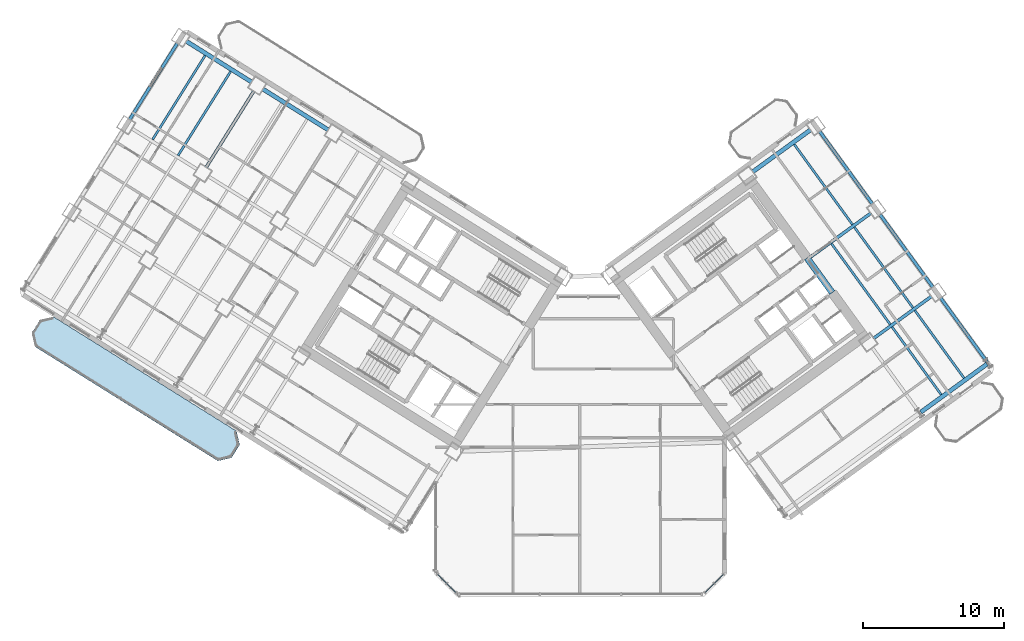
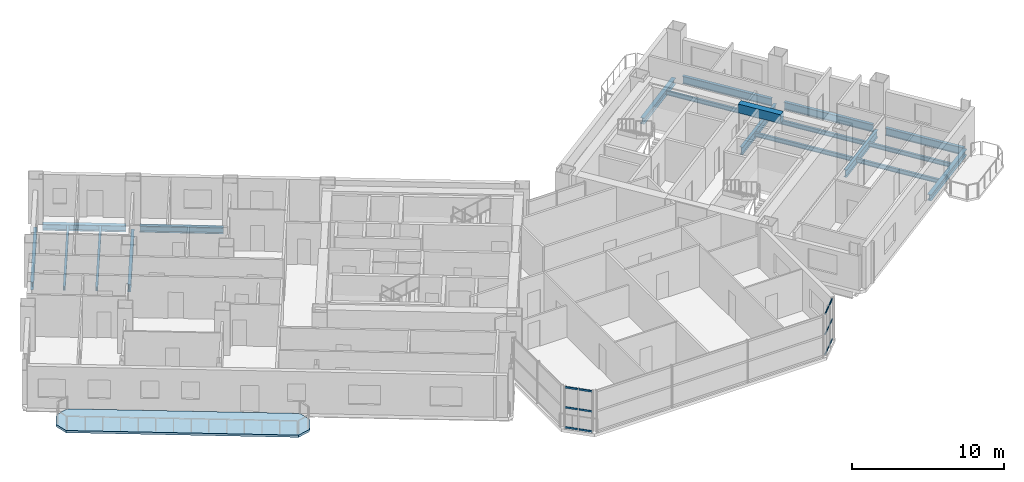
# One storey, part 12 of 24: 19 beams, 12 members, 1 slab, 2 elements without a shape of their own.
"""IFC4 building model written with IfcOpenShell, lengths in metres."""

from ifc_helpers import new_model, si_unit, direction, frame, origin, origin_2d, place, context, subcontext, project, spatial, polyline, rectangle, hollow_rectangle, i_section, outline, extrude, source, transform, mapped, material, layer, layer_set, material_profile, profile_set, type_object, element, aggregate, save


model = new_model("IFC4")

# Units and contexts
model_context = context("Model", 3, precision=1e-05, world=origin(), true_north=direction((0.0, 1.0)))
body_context = subcontext(model_context, "Body", "Model", "MODEL_VIEW")
ifc_project = project(units=[si_unit("LENGTHUNIT", "METRE"), si_unit("AREAUNIT", "SQUARE_METRE"), si_unit("VOLUMEUNIT", "CUBIC_METRE"), si_unit("PLANEANGLEUNIT", "RADIAN"), si_unit("MASSUNIT", "GRAM", prefix="KILO")], contexts=[model_context])

# Site, building, storey
site_placement = place(None, origin())
site = spatial("IfcSite", under=ifc_project, at=site_placement, CompositionType="ELEMENT")
building_placement = place(site_placement, origin())
building = spatial("IfcBuilding", under=site, at=building_placement, Name="Tlacorven Tower", CompositionType="ELEMENT")
storey_placement = place(building_placement, frame((0.0, 0.0, 45.60009765625)))
storey = spatial("IfcBuildingStorey", under=building, at=storey_placement, Name="L11", CompositionType="ELEMENT", Elevation=45.60009765625)

# Beams
ifc_material_1 = material(Name="Concrete C60/75", Category="concrete")
ifc_material_profile_1 = material_profile(ifc_material_1, rectangle(XDim=0.449951171875, YDim=0.699951171875, at=origin_2d()), Name="RC 450X700")
ifc_profile_set_1 = profile_set([ifc_material_profile_1], Name="Concrete C60/75")
beam_type_1 = type_object("IfcBeamType", Name="BM-LNT-700", PredefinedType="LINTEL", material=ifc_profile_set_1)
shared_shape_1 = source(origin(), body_context, "Body", "SweptSolid", [
    extrude(rectangle(XDim=0.449951171875, YDim=0.699951171875, at=origin_2d()), origin(), (0.0, 0.0, 1.0), 3.050048828125),
])
beam_1_placement = place(storey_placement, frame((59.856689453125, 23.345947265625, 3.0), z_axis=(-0.587776590479, 0.80902328748, 0.0), x_axis=(-0.80902328748, -0.587776590479, 0.0)))
element("IfcBeam", 1, at=beam_1_placement, inside=storey, type_object=beam_type_1, Name="L11 E core coupling lintel beam E2", PredefinedType="LINTEL", context=body_context, shape_type="MappedRepresentation", body=[
    mapped(shared_shape_1, transform((0.0, 0.0, 0.0), scale=1.0)),
])
ifc_material_2 = material(Name="Steel S355J2", Category="steel")
ifc_material_profile_2 = material_profile(ifc_material_2, i_section(OverallWidth=0.300048828125, OverallDepth=0.489990234375, WebThickness=0.011962890625, FlangeThickness=0.02294921875, at=origin_2d()), Name="HEA 500")
ifc_profile_set_2 = profile_set([ifc_material_profile_2], Name="Steel S355J2")
beam_type_2 = type_object("IfcBeamType", Name="BM-SPN-500", PredefinedType="SPANDREL", material=ifc_profile_set_2)
shared_shape_2 = source(origin(), body_context, "Body", "SweptSolid", [
    extrude(i_section(OverallWidth=0.300048828125, OverallDepth=0.489990234375, WebThickness=0.011962890625, FlangeThickness=0.02294921875, at=origin_2d()), origin(), (0.0, 0.0, 1.0), 5.5),
])
for number, where, z_axis, x_axis, name in (
    (2, (24.118896484375, 34.88134765625, -0.4951171875), (-0.848050668838, 0.52991514706, 0.0), (-0.52991514706, -0.848050668838, 0.0), "L11 beam BM-L11-WL1-4"),
    (3, (18.69140625, 38.272705078125, -0.4951171875), (-0.848050668838, 0.52991514706, 0.0), (-0.52991514706, -0.848050668838, 0.0), "L11 beam BM-L11-WL1-5"),
):
    element("IfcBeam", number, at=place(storey_placement, frame(where, z_axis=z_axis, x_axis=x_axis)), inside=storey, type_object=beam_type_2, Name=name, PredefinedType="SPANDREL", context=body_context, shape_type="MappedRepresentation", body=[
        mapped(shared_shape_2, transform((0.0, 0.0, 0.0), scale=1.0)),
    ])
ifc_material_profile_3 = material_profile(ifc_material_2, i_section(OverallWidth=0.219970703125, OverallDepth=0.60009765625, WebThickness=0.011962890625, FlangeThickness=0.01904296875, at=origin_2d()), Name="IPE 600")
ifc_profile_set_3 = profile_set([ifc_material_profile_3], Name="Steel S355J2")
beam_type_3 = type_object("IfcBeamType", Name="BM-TWR-600", PredefinedType="BEAM", material=ifc_profile_set_3)
shared_shape_3 = source(origin(), body_context, "Body", "SweptSolid", [
    extrude(i_section(OverallWidth=0.219970703125, OverallDepth=0.60009765625, WebThickness=0.011962890625, FlangeThickness=0.01904296875, at=origin_2d()), origin(), (0.0, 0.0, 1.0), 5.650146484375),
])
beam_2_placement = place(storey_placement, frame((70.853271484375, 18.41845703125, -0.550048828125), z_axis=(-0.587783675561, 0.809018139935, 0.0), x_axis=(-0.809018139935, -0.587783675561, 0.0)))
element("IfcBeam", 4, at=beam_2_placement, inside=storey, type_object=beam_type_3, Name="L11 beam BM-L11-ET4-1", PredefinedType="BEAM", context=body_context, shape_type="MappedRepresentation", body=[
    mapped(shared_shape_3, transform((0.0, 0.0, 0.0), scale=1.0)),
])
shared_shape_4 = source(origin(), body_context, "Body", "SweptSolid", [
    extrude(i_section(OverallWidth=0.219970703125, OverallDepth=0.60009765625, WebThickness=0.011962890625, FlangeThickness=0.01904296875, at=origin_2d()), origin(), (0.0, 0.0, 1.0), 6.39990234375),
])
for number, where, z_axis, x_axis, name in (
    (5, (67.003173828125, 23.717529296875, -0.550048828125), (-0.587772420479, 0.809026317077, 0.0), (-0.809026317077, -0.587772420479, 0.0), "L11 beam BM-L11-ET4-2"),
    (6, (62.71240234375, 29.62353515625, -0.550048828125), (-0.587815528162, 0.808994996803, 0.0), (-0.808994996803, -0.587815528162, 0.0), "L11 beam BM-L11-ET4-3"),
):
    element("IfcBeam", number, at=place(storey_placement, frame(where, z_axis=z_axis, x_axis=x_axis)), inside=storey, type_object=beam_type_3, Name=name, PredefinedType="BEAM", context=body_context, shape_type="MappedRepresentation", body=[
        mapped(shared_shape_4, transform((0.0, 0.0, 0.0), scale=1.0)),
    ])
shared_shape_5 = source(origin(), body_context, "Body", "SweptSolid", [
    extrude(i_section(OverallWidth=0.219970703125, OverallDepth=0.60009765625, WebThickness=0.011962890625, FlangeThickness=0.01904296875, at=origin_2d()), origin(), (0.0, 0.0, 1.0), 6.400146484375),
])
for number, where, z_axis, x_axis, name in (
    (7, (18.83447265625, 37.652587890625, -0.550048828125), (-0.529933789039, -0.848039019877, 0.0), (0.848039019877, -0.529933789039, 0.0), "L11 beam BM-L11-WT5-1"),
    (8, (13.406982421875, 41.044189453125, -0.550048828125), (-0.529933789039, -0.848039019877, 0.0), (0.848039019877, -0.529933789039, 0.0), "L11 beam BM-L11-WT6-1"),
):
    element("IfcBeam", number, at=place(storey_placement, frame(where, z_axis=z_axis, x_axis=x_axis)), inside=storey, type_object=beam_type_3, Name=name, PredefinedType="BEAM", context=body_context, shape_type="MappedRepresentation", body=[
        mapped(shared_shape_5, transform((0.0, 0.0, 0.0), scale=1.0)),
    ])
ifc_material_profile_4 = material_profile(ifc_material_2, i_section(OverallWidth=0.159912109375, OverallDepth=0.330078125, WebThickness=0.007568359375, FlangeThickness=0.011474609375, at=origin_2d()), Name="IPE 330")
ifc_profile_set_4 = profile_set([ifc_material_profile_4], Name="Steel S355J2")
beam_type_4 = type_object("IfcBeamType", Name="BM-JST-330", PredefinedType="JOIST", material=ifc_profile_set_4)
shared_shape_6 = source(origin(), body_context, "Body", "SweptSolid", [
    extrude(i_section(OverallWidth=0.159912109375, OverallDepth=0.330078125, WebThickness=0.007568359375, FlangeThickness=0.011474609375, at=origin_2d()), origin(), (0.0, 0.0, 1.0), 7.030029296875),
])
for number, where, z_axis, x_axis, name in (
    (9, (17.181640625, 39.033447265625, -0.4150390625), (-0.529911532383, -0.848052927504, 0.0), (0.848052927504, -0.529911532383, 0.0), "L11 beam BM-L11-WJ5-1-1"),
    (10, (15.372314453125, 40.163818359375, -0.4150390625), (-0.529927139185, -0.84804317529, 0.0), (0.84804317529, -0.529927139185, 0.0), "L11 beam BM-L11-WJ5-1-2"),
    (11, (61.291259765625, 28.1767578125, -0.4150390625), (-0.587773097846, 0.809025824958, 0.0), (-0.809025824958, -0.587773097846, 0.0), "L11 beam BM-L11-EJ3-3-2"),
):
    element("IfcBeam", number, at=place(storey_placement, frame(where, z_axis=z_axis, x_axis=x_axis)), inside=storey, type_object=beam_type_4, Name=name, PredefinedType="JOIST", context=body_context, shape_type="MappedRepresentation", body=[
        mapped(shared_shape_6, transform((0.0, 0.0, 0.0), scale=1.0)),
    ])
shared_shape_7 = source(origin(), body_context, "Body", "SweptSolid", [
    extrude(i_section(OverallWidth=0.159912109375, OverallDepth=0.330078125, WebThickness=0.007568359375, FlangeThickness=0.011474609375, at=origin_2d()), origin(), (0.0, 0.0, 1.0), 5.93017578125),
])
for number, where, z_axis, x_axis, name in (
    (12, (67.584716796875, 16.11181640625, -0.4150390625), (-0.587777512947, 0.809022617282, 0.0), (-0.809022617282, -0.587777512947, 0.0), "L11 beam BM-L11-EJ3-1-1"),
    (13, (69.202880859375, 17.287353515625, -0.4150390625), (-0.587777512947, 0.809022617282, 0.0), (-0.809022617282, -0.587777512947, 0.0), "L11 beam BM-L11-EJ3-1-2"),
):
    element("IfcBeam", number, at=place(storey_placement, frame(where, z_axis=z_axis, x_axis=x_axis)), inside=storey, type_object=beam_type_4, Name=name, PredefinedType="JOIST", context=body_context, shape_type="MappedRepresentation", body=[
        mapped(shared_shape_7, transform((0.0, 0.0, 0.0), scale=1.0)),
    ])
shared_shape_8 = source(origin(), body_context, "Body", "SweptSolid", [
    extrude(i_section(OverallWidth=0.159912109375, OverallDepth=0.330078125, WebThickness=0.007568359375, FlangeThickness=0.011474609375, at=origin_2d()), origin(), (0.0, 0.0, 1.0), 7.070068359375),
])
beam_3_placement = place(storey_placement, frame((63.964111328125, 21.095458984375, -0.4150390625), z_axis=(-0.587797946309, 0.80900777148, 0.0), x_axis=(-0.80900777148, -0.587797946309, 0.0)))
element("IfcBeam", 14, at=beam_3_placement, inside=storey, type_object=beam_type_4, Name="L11 beam BM-L11-EJ3-2-1", PredefinedType="JOIST", context=body_context, shape_type="MappedRepresentation", body=[
    mapped(shared_shape_8, transform((0.0, 0.0, 0.0), scale=1.0)),
])
shared_shape_9 = source(origin(), body_context, "Body", "SweptSolid", [
    extrude(i_section(OverallWidth=0.159912109375, OverallDepth=0.330078125, WebThickness=0.007568359375, FlangeThickness=0.011474609375, at=origin_2d()), origin(), (0.0, 0.0, 1.0), 7.06982421875),
])
beam_4_placement = place(storey_placement, frame((65.58203125, 22.27099609375, -0.4150390625), z_axis=(-0.58777534487, 0.809024192446, 0.0), x_axis=(-0.809024192446, -0.58777534487, 0.0)))
element("IfcBeam", 15, at=beam_4_placement, inside=storey, type_object=beam_type_4, Name="L11 beam BM-L11-EJ3-2-2", PredefinedType="JOIST", context=body_context, shape_type="MappedRepresentation", body=[
    mapped(shared_shape_9, transform((0.0, 0.0, 0.0), scale=1.0)),
])
shared_shape_10 = source(origin(), body_context, "Body", "SweptSolid", [
    extrude(i_section(OverallWidth=0.300048828125, OverallDepth=0.489990234375, WebThickness=0.011962890625, FlangeThickness=0.02294921875, at=origin_2d()), origin(), (0.0, 0.0, 1.0), 5.800048828125),
])
beam_5_placement = place(storey_placement, frame((66.138671875, 14.86962890625, -0.4951171875), z_axis=(0.809019944521, 0.587781191743, 0.0), x_axis=(-0.587781191743, 0.809019944521, 0.0)))
element("IfcBeam", 16, at=beam_5_placement, inside=storey, type_object=beam_type_2, Name="L11 beam BM-L11-EL1-3", PredefinedType="SPANDREL", context=body_context, shape_type="MappedRepresentation", body=[
    mapped(shared_shape_10, transform((0.0, 0.0, 0.0), scale=1.0)),
])
shared_shape_11 = source(origin(), body_context, "Body", "SweptSolid", [
    extrude(i_section(OverallWidth=0.219970703125, OverallDepth=0.60009765625, WebThickness=0.011962890625, FlangeThickness=0.01904296875, at=origin_2d()), origin(), (0.0, 0.0, 1.0), 5.10009765625),
])
beam_6_placement = place(storey_placement, frame((62.777587890625, 20.09130859375, -0.550048828125), z_axis=(0.809007176828, 0.58779876475, 0.0), x_axis=(-0.58779876475, 0.809007176828, 0.0)))
element("IfcBeam", 17, at=beam_6_placement, inside=storey, type_object=beam_type_3, Name="L11 beam BM-L11-EL2-3", PredefinedType="BEAM", context=body_context, shape_type="MappedRepresentation", body=[
    mapped(shared_shape_11, transform((0.0, 0.0, 0.0), scale=1.0)),
])
shared_shape_12 = source(origin(), body_context, "Body", "SweptSolid", [
    extrude(i_section(OverallWidth=0.219970703125, OverallDepth=0.60009765625, WebThickness=0.011962890625, FlangeThickness=0.01904296875, at=origin_2d()), origin(), (0.0, 0.0, 1.0), 5.510009765625),
])
beam_7_placement = place(storey_placement, frame((58.155029296875, 25.756103515625, -0.550048828125), z_axis=(0.809015730594, 0.587786991734, 0.0), x_axis=(-0.587786991734, 0.809015730594, 0.0)))
element("IfcBeam", 18, at=beam_7_placement, inside=storey, type_object=beam_type_3, Name="L11 beam BM-L11-EL3-3", PredefinedType="BEAM", context=body_context, shape_type="MappedRepresentation", body=[
    mapped(shared_shape_12, transform((0.0, 0.0, 0.0), scale=1.0)),
])
shared_shape_13 = source(origin(), body_context, "Body", "SweptSolid", [
    extrude(i_section(OverallWidth=0.300048828125, OverallDepth=0.489990234375, WebThickness=0.011962890625, FlangeThickness=0.02294921875, at=origin_2d()), origin(), (0.0, 0.0, 1.0), 5.099853515625),
])
beam_8_placement = place(storey_placement, frame((54.196044921875, 31.903076171875, -0.4951171875), z_axis=(0.809029940764, 0.587767432704, 0.0), x_axis=(-0.587767432704, 0.809029940764, 0.0)))
element("IfcBeam", 19, at=beam_8_placement, inside=storey, type_object=beam_type_2, Name="L11 beam BM-L11-EL4-3", PredefinedType="SPANDREL", context=body_context, shape_type="MappedRepresentation", body=[
    mapped(shared_shape_13, transform((0.0, 0.0, 0.0), scale=1.0)),
])

# Curtain wall, members
ifc_material_3 = material(Name="Dark solar low-E double glazing in aluminium frame", Category="aluminium")
curtain_wall_type = type_object("IfcCurtainWallType", Name="CW-TWR-LOW", PredefinedType="USERDEFINED", material=ifc_material_3)
curtain_wall_1_placement = place(storey_placement, origin())
curtain_wall_1 = element("IfcCurtainWall", 20, at=curtain_wall_1_placement, inside=storey, type_object=curtain_wall_type, Name="L11 CW-TWR-LOW Curtain Wall 57", ObjectType="UNITISED CURTAIN WALL", PredefinedType="USERDEFINED")
ifc_material_4 = material(Name="Aluminium 6063-T6 anodised", Category="aluminium")
ifc_material_profile_5 = material_profile(ifc_material_4, hollow_rectangle(XDim=0.06005859375, YDim=0.139892578125, WallThickness=0.00390625, at=origin_2d()), Name="ALU TRANSOM 60X140")
ifc_profile_set_5 = profile_set([ifc_material_profile_5], Name="Aluminium 6063-T6 anodised")
member_type = type_object("IfcMemberType", Name="CWT-02", PredefinedType="USERDEFINED", material=ifc_profile_set_5)
shared_shape_14 = source(origin(), body_context, "Body", "SweptSolid", [
    extrude(hollow_rectangle(XDim=0.06005859375, YDim=0.139892578125, WallThickness=0.00390625, at=origin_2d()), origin(), (0.0, 0.0, 1.0), 0.8837890625),
])
member_1_placement = place(storey_placement, frame((52.128173828125, 3.3544921875, 0.06982421875), z_axis=(-0.707106781187, -0.707106781187, 0.0), x_axis=(0.707106781187, -0.707106781187, 0.0)))
member_1 = element("IfcMember", 21, at=member_1_placement, type_object=member_type, Name="CW-L11-057 Transom 1", ObjectType="TRANSOM", PredefinedType="USERDEFINED", context=body_context, shape_type="MappedRepresentation", body=[
    mapped(shared_shape_14, transform((0.0, 0.0, 0.0), scale=1.0)),
])
member_2_placement = place(storey_placement, frame((52.128173828125, 3.3544921875, 1.6748046875), z_axis=(-0.707106781187, -0.707106781187, 0.0), x_axis=(0.707106781187, -0.707106781187, 0.0)))
member_2 = element("IfcMember", 22, at=member_2_placement, type_object=member_type, Name="CW-L11-057 Transom 2", ObjectType="TRANSOM", PredefinedType="USERDEFINED", context=body_context, shape_type="MappedRepresentation", body=[
    mapped(shared_shape_14, transform((0.0, 0.0, 0.0), scale=1.0)),
])
member_3_placement = place(storey_placement, frame((52.128173828125, 3.3544921875, 3.27978515625), z_axis=(-0.707106781187, -0.707106781187, 0.0), x_axis=(0.707106781187, -0.707106781187, 0.0)))
member_3 = element("IfcMember", 23, at=member_3_placement, type_object=member_type, Name="CW-L11-057 Transom 3", ObjectType="TRANSOM", PredefinedType="USERDEFINED", context=body_context, shape_type="MappedRepresentation", body=[
    mapped(shared_shape_14, transform((0.0, 0.0, 0.0), scale=1.0)),
])

curtain_wall_2_placement = place(storey_placement, origin())
curtain_wall_2 = element("IfcCurtainWall", 24, at=curtain_wall_2_placement, inside=storey, type_object=curtain_wall_type, Name="L11 CW-TWR-LOW Curtain Wall 59", ObjectType="UNITISED CURTAIN WALL", PredefinedType="USERDEFINED")
member_4_placement = place(storey_placement, frame((32.496826171875, 2.7294921875, 0.06982421875), z_axis=(-0.707106781187, 0.707106781187, 0.0), x_axis=(-0.707106781187, -0.707106781187, 0.0)))
member_4 = element("IfcMember", 25, at=member_4_placement, type_object=member_type, Name="CW-L11-059 Transom 4", ObjectType="TRANSOM", PredefinedType="USERDEFINED", context=body_context, shape_type="MappedRepresentation", body=[
    mapped(shared_shape_14, transform((0.0, 0.0, 0.0), scale=1.0)),
])
member_5_placement = place(storey_placement, frame((32.496826171875, 2.7294921875, 1.6748046875), z_axis=(-0.707106781187, 0.707106781187, 0.0), x_axis=(-0.707106781187, -0.707106781187, 0.0)))
member_5 = element("IfcMember", 26, at=member_5_placement, type_object=member_type, Name="CW-L11-059 Transom 5", ObjectType="TRANSOM", PredefinedType="USERDEFINED", context=body_context, shape_type="MappedRepresentation", body=[
    mapped(shared_shape_14, transform((0.0, 0.0, 0.0), scale=1.0)),
])
member_6_placement = place(storey_placement, frame((32.496826171875, 2.7294921875, 3.27978515625), z_axis=(-0.707106781187, 0.707106781187, 0.0), x_axis=(-0.707106781187, -0.707106781187, 0.0)))
member_6 = element("IfcMember", 27, at=member_6_placement, type_object=member_type, Name="CW-L11-059 Transom 6", ObjectType="TRANSOM", PredefinedType="USERDEFINED", context=body_context, shape_type="MappedRepresentation", body=[
    mapped(shared_shape_14, transform((0.0, 0.0, 0.0), scale=1.0)),
])

# Member
shared_shape_15 = source(origin(), body_context, "Body", "SweptSolid", [
    extrude(hollow_rectangle(XDim=0.06005859375, YDim=0.139892578125, WallThickness=0.00390625, at=origin_2d()), origin(), (0.0, 0.0, 1.0), 0.884033203125),
])
member_7_placement = place(storey_placement, frame((51.470703125, 2.69677734375, 0.06982421875), z_axis=(-0.707244847527, -0.706968687883, 0.0), x_axis=(0.706968687883, -0.707244847527, 0.0)))
member_7 = element("IfcMember", 28, at=member_7_placement, type_object=member_type, Name="CW-L11-057 Transom 4", ObjectType="TRANSOM", PredefinedType="USERDEFINED", context=body_context, shape_type="MappedRepresentation", body=[
    mapped(shared_shape_15, transform((0.0, 0.0, 0.0), scale=1.0)),
])

member_8_placement = place(storey_placement, frame((51.470703125, 2.69677734375, 1.6748046875), z_axis=(-0.707244847527, -0.706968687883, 0.0), x_axis=(0.706968687883, -0.707244847527, 0.0)))
member_8 = element("IfcMember", 29, at=member_8_placement, type_object=member_type, Name="CW-L11-057 Transom 5", ObjectType="TRANSOM", PredefinedType="USERDEFINED", context=body_context, shape_type="MappedRepresentation", body=[
    mapped(shared_shape_15, transform((0.0, 0.0, 0.0), scale=1.0)),
])

member_9_placement = place(storey_placement, frame((51.470703125, 2.69677734375, 3.27978515625), z_axis=(-0.707244847527, -0.706968687883, 0.0), x_axis=(0.706968687883, -0.707244847527, 0.0)))
member_9 = element("IfcMember", 30, at=member_9_placement, type_object=member_type, Name="CW-L11-057 Transom 6", ObjectType="TRANSOM", PredefinedType="USERDEFINED", context=body_context, shape_type="MappedRepresentation", body=[
    mapped(shared_shape_15, transform((0.0, 0.0, 0.0), scale=1.0)),
])

aggregate(curtain_wall_1, [member_1, member_2, member_3, member_7, member_8, member_9])

member_10_placement = place(storey_placement, frame((33.154541015625, 2.07177734375, 0.06982421875), z_axis=(-0.707244847527, 0.706968687883, 0.0), x_axis=(-0.706968687883, -0.707244847527, 0.0)))
member_10 = element("IfcMember", 31, at=member_10_placement, type_object=member_type, Name="CW-L11-059 Transom 1", ObjectType="TRANSOM", PredefinedType="USERDEFINED", context=body_context, shape_type="MappedRepresentation", body=[
    mapped(shared_shape_15, transform((0.0, 0.0, 0.0), scale=1.0)),
])

member_11_placement = place(storey_placement, frame((33.154541015625, 2.07177734375, 1.6748046875), z_axis=(-0.707244847527, 0.706968687883, 0.0), x_axis=(-0.706968687883, -0.707244847527, 0.0)))
member_11 = element("IfcMember", 32, at=member_11_placement, type_object=member_type, Name="CW-L11-059 Transom 2", ObjectType="TRANSOM", PredefinedType="USERDEFINED", context=body_context, shape_type="MappedRepresentation", body=[
    mapped(shared_shape_15, transform((0.0, 0.0, 0.0), scale=1.0)),
])

member_12_placement = place(storey_placement, frame((33.154541015625, 2.07177734375, 3.27978515625), z_axis=(-0.707244847527, 0.706968687883, 0.0), x_axis=(-0.706968687883, -0.707244847527, 0.0)))
member_12 = element("IfcMember", 33, at=member_12_placement, type_object=member_type, Name="CW-L11-059 Transom 3", ObjectType="TRANSOM", PredefinedType="USERDEFINED", context=body_context, shape_type="MappedRepresentation", body=[
    mapped(shared_shape_15, transform((0.0, 0.0, 0.0), scale=1.0)),
])

aggregate(curtain_wall_2, [member_10, member_11, member_12, member_4, member_5, member_6])

# Slab
ifc_material_5 = material(Name="Precast concrete C45/55", Category="concrete")
ifc_layer = layer(ifc_material_5, 0.179931640625)
ifc_layer_set = layer_set([ifc_layer], Name="Precast concrete C45/55")
slab_type = type_object("IfcSlabType", Name="SL-BAL-180", PredefinedType="USERDEFINED", material=ifc_layer_set)
slab_placement = place(storey_placement, frame((0.0, 0.0, -0.18017578125)))
element("IfcSlab", 34, at=slab_placement, inside=storey, type_object=slab_type, Name="L11 West Wing Balcony Ribbon OUT", ObjectType="BALCONY SLAB", PredefinedType="USERDEFINED", context=body_context, shape_type="SweptSolid", body=[
    extrude(outline(polyline([(17.601318359375, 13.52490234375), (4.626220703125, 21.632568359375), (3.66162109375, 21.409912109375), (3.081298828125, 20.4814453125), (3.303955078125, 19.516845703125), (16.279052734375, 11.408935546875), (17.24365234375, 11.6318359375), (17.823974609375, 12.560302734375), (17.601318359375, 13.52490234375)])), origin(), (0.0, 0.0, 1.0), 0.18017578125),
])

save(model, "model.ifc")
